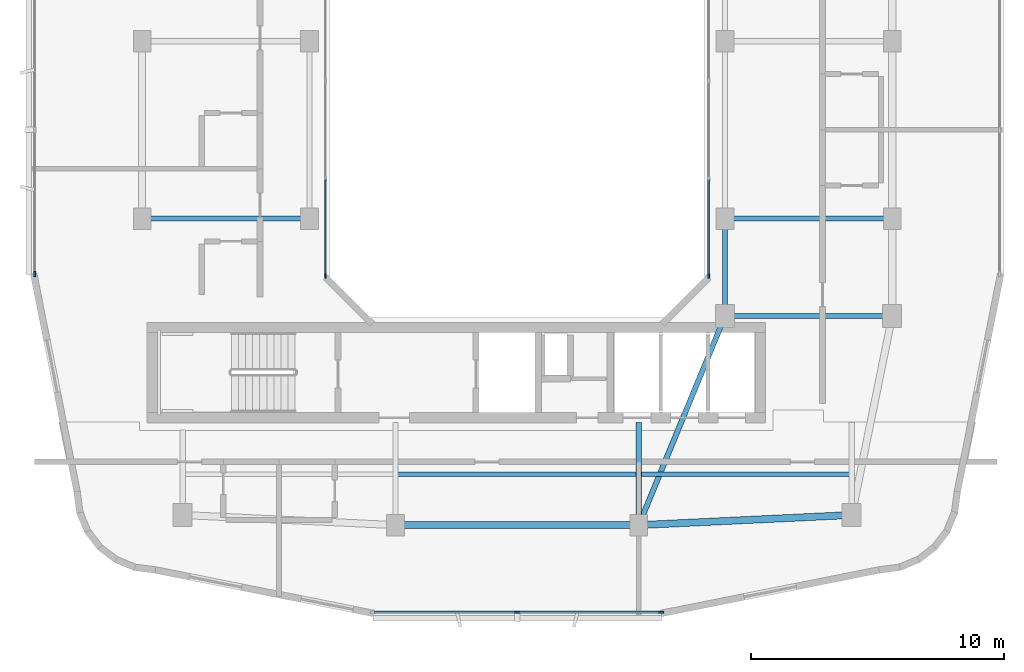
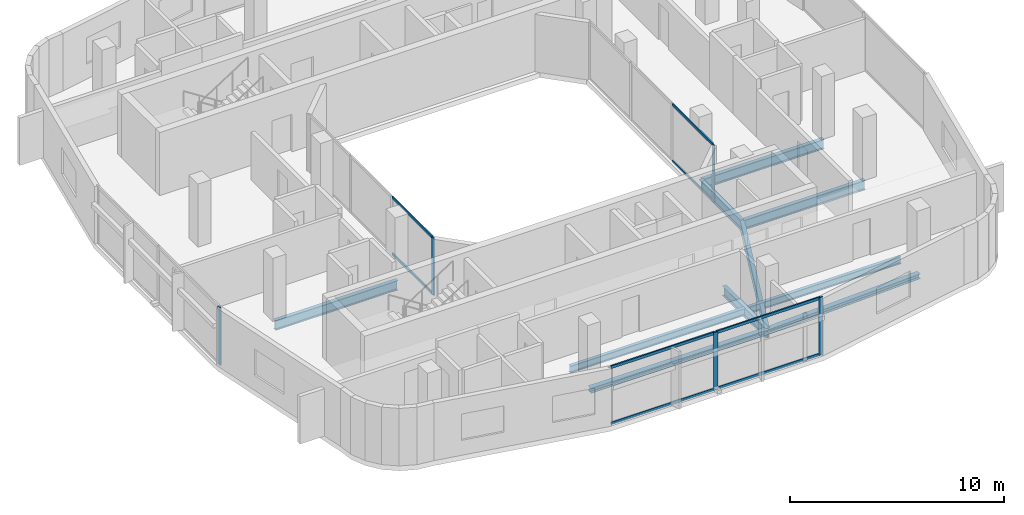
# One storey, part 2 of 13: 13 members, 10 beams, 4 elements without a shape of their own.
"""IFC4 building model written with IfcOpenShell, lengths in metres."""

from ifc_helpers import new_model, si_unit, derived_unit, direction, frame, origin, origin_2d, place, context, subcontext, project, spatial, rectangle, i_section, extrude, material, layer, layer_set, material_profile, profile_set, type_object, element, aggregate, save


model = new_model("IFC4")

# Units and contexts
model_context = context("Model", 3, precision=1e-05, world=origin(), true_north=direction((0.0, 1.0)))
body_context = subcontext(model_context, "Body", "Model", "MODEL_VIEW")
ifc_project = project(units=[si_unit("LENGTHUNIT", "METRE"), si_unit("AREAUNIT", "SQUARE_METRE"), si_unit("VOLUMEUNIT", "CUBIC_METRE"), si_unit("PLANEANGLEUNIT", "RADIAN"), si_unit("MASSUNIT", "GRAM", prefix="KILO"), derived_unit("THERMALTRANSMITTANCEUNIT", [(si_unit("POWERUNIT", "WATT"), 1), (si_unit("LENGTHUNIT", "METRE"), -2), (si_unit("THERMODYNAMICTEMPERATUREUNIT", "KELVIN"), -1)])], contexts=[model_context])

# Site, building, storey
site_placement = place(None, origin())
site = spatial("IfcSite", under=ifc_project, at=site_placement, CompositionType="ELEMENT")
building_placement = place(site_placement, origin())
building = spatial("IfcBuilding", under=site, at=building_placement, Name="Kivonza Crest Hotel", CompositionType="ELEMENT")
storey_placement = place(building_placement, frame((0.0, 0.0, 235.10009765625)))
storey = spatial("IfcBuildingStorey", under=building, at=storey_placement, Name="L64", CompositionType="ELEMENT", Elevation=235.10009765625)

# Beams
ifc_material_1 = material(Name="Steel S355", Category="steel")
ifc_material_profile_1 = material_profile(ifc_material_1, i_section(OverallWidth=0.280029296875, OverallDepth=0.280029296875, WebThickness=0.010498046875, FlangeThickness=0.01806640625, FilletRadius=0.02392578125, at=origin_2d()), Name="HEB 280")
ifc_profile_set_1 = profile_set([ifc_material_profile_1], Name="Steel S355")
beam_type_1 = type_object("IfcBeamType", Name="BM-HEB280", PredefinedType="SPANDREL", material=ifc_profile_set_1)
beam_1_placement = place(storey_placement, frame((16.199951171875, 9.39990234375, -0.420166015625), z_axis=(1.0, 0.0, 0.0), x_axis=(0.0, 1.0, 0.0)))
element("IfcBeam", 1, at=beam_1_placement, inside=storey, type_object=beam_type_1, Name="Tower T1 L64 perimeter spandrel S1-S2", PredefinedType="SPANDREL", context=body_context, shape_type="SweptSolid", body=[
    extrude(i_section(OverallWidth=0.280029296875, OverallDepth=0.280029296875, WebThickness=0.010498046875, FlangeThickness=0.01806640625, FilletRadius=0.02392578125, at=origin_2d()), origin(), (0.0, 0.0, 1.0), 9.60009765625),
])
beam_2_placement = place(storey_placement, frame((25.800048828125, 9.39990234375, -0.420166015625), z_axis=(0.998867283688, 0.047583080799, 0.0), x_axis=(-0.047583080799, 0.998867283688, 0.0)))
element("IfcBeam", 2, at=beam_2_placement, inside=storey, type_object=beam_type_1, Name="Tower T1 L64 perimeter spandrel S2-SE", PredefinedType="SPANDREL", context=body_context, shape_type="SweptSolid", body=[
    extrude(i_section(OverallWidth=0.280029296875, OverallDepth=0.280029296875, WebThickness=0.010498046875, FlangeThickness=0.01806640625, FilletRadius=0.02392578125, at=origin_2d()), origin(), (0.0, 0.0, 1.0), 8.409423828125),
])
ifc_material_profile_2 = material_profile(ifc_material_1, i_section(OverallWidth=0.179931640625, OverallDepth=0.39990234375, WebThickness=0.008544921875, FlangeThickness=0.013427734375, FilletRadius=0.02099609375, at=origin_2d()), Name="IPE 400")
ifc_profile_set_2 = profile_set([ifc_material_profile_2], Name="Steel S355")
beam_type_2 = type_object("IfcBeamType", Name="BM-IPE400", PredefinedType="JOIST", material=ifc_profile_set_2)
beam_3_placement = place(storey_placement, frame((16.280029296875, 11.39990234375, -0.47998046875), z_axis=(1.0, 0.0, 0.0), x_axis=(0.0, 1.0, 0.0)))
element("IfcBeam", 3, at=beam_3_placement, inside=storey, type_object=beam_type_2, Name="Tower T1 L64 South-Mid floor joist", PredefinedType="JOIST", context=body_context, shape_type="SweptSolid", body=[
    extrude(i_section(OverallWidth=0.179931640625, OverallDepth=0.39990234375, WebThickness=0.008544921875, FlangeThickness=0.013427734375, FilletRadius=0.02099609375, at=origin_2d()), origin(), (0.0, 0.0, 1.0), 9.43994140625),
])
beam_4_placement = place(storey_placement, frame((25.8798828125, 11.39990234375, -0.47998046875), z_axis=(1.0, 0.0, 0.0), x_axis=(0.0, 1.0, 0.0)))
element("IfcBeam", 4, at=beam_4_placement, inside=storey, type_object=beam_type_2, Name="Tower T1 L64 South-East floor joist", PredefinedType="JOIST", context=body_context, shape_type="SweptSolid", body=[
    extrude(i_section(OverallWidth=0.179931640625, OverallDepth=0.39990234375, WebThickness=0.008544921875, FlangeThickness=0.013427734375, FilletRadius=0.02099609375, at=origin_2d()), origin(), (0.0, 0.0, 1.0), 8.240234375),
])
ifc_material_profile_3 = material_profile(ifc_material_1, i_section(OverallWidth=0.2099609375, OverallDepth=0.550048828125, WebThickness=0.010986328125, FlangeThickness=0.01708984375, FilletRadius=0.02392578125, at=origin_2d()), Name="IPE 550")
ifc_profile_set_3 = profile_set([ifc_material_profile_3], Name="Steel S355")
beam_type_3 = type_object("IfcBeamType", Name="BM-IPE550", PredefinedType="BEAM", material=ifc_profile_set_3)
beam_5_placement = place(storey_placement, frame((6.199951171875, 21.5, -0.55517578125), z_axis=(1.0, 0.0, 0.0), x_axis=(0.0, 1.0, 0.0)))
element("IfcBeam", 5, at=beam_5_placement, inside=storey, type_object=beam_type_3, Name="Tower T1 L64 primary girder W1-WL1", PredefinedType="BEAM", context=body_context, shape_type="SweptSolid", body=[
    extrude(i_section(OverallWidth=0.2099609375, OverallDepth=0.550048828125, WebThickness=0.010986328125, FlangeThickness=0.01708984375, FilletRadius=0.02392578125, at=origin_2d()), origin(), (0.0, 0.0, 1.0), 6.60009765625),
])
beam_6_placement = place(storey_placement, frame((25.800048828125, 9.39990234375, -0.55517578125), z_axis=(0.381022260404, 0.924565864109, 0.0), x_axis=(-0.924565864109, 0.381022260404, 0.0)))
element("IfcBeam", 6, at=beam_6_placement, inside=storey, type_object=beam_type_3, Name="Tower T1 L64 primary girder S1-TSE", PredefinedType="BEAM", context=body_context, shape_type="SweptSolid", body=[
    extrude(i_section(OverallWidth=0.2099609375, OverallDepth=0.550048828125, WebThickness=0.010986328125, FlangeThickness=0.01708984375, FilletRadius=0.02392578125, at=origin_2d()), origin(), (0.0, 0.0, 1.0), 8.923095703125),
])
beam_7_placement = place(storey_placement, frame((29.199951171875, 17.64990234375, -0.55517578125), z_axis=(1.0, 0.0, 0.0), x_axis=(0.0, 1.0, 0.0)))
element("IfcBeam", 7, at=beam_7_placement, inside=storey, type_object=beam_type_3, Name="Tower T1 L64 primary girder TSE-PSE", PredefinedType="BEAM", context=body_context, shape_type="SweptSolid", body=[
    extrude(i_section(OverallWidth=0.2099609375, OverallDepth=0.550048828125, WebThickness=0.010986328125, FlangeThickness=0.01708984375, FilletRadius=0.02392578125, at=origin_2d()), origin(), (0.0, 0.0, 1.0), 6.60009765625),
])
beam_8_placement = place(storey_placement, frame((29.199951171875, 17.64990234375, -0.55517578125), z_axis=(0.0, 1.0, 0.0), x_axis=(-1.0, 0.0, 0.0)))
element("IfcBeam", 8, at=beam_8_placement, inside=storey, type_object=beam_type_3, Name="Tower T1 L64 primary girder TSE-WR1", PredefinedType="BEAM", context=body_context, shape_type="SweptSolid", body=[
    extrude(i_section(OverallWidth=0.2099609375, OverallDepth=0.550048828125, WebThickness=0.010986328125, FlangeThickness=0.01708984375, FilletRadius=0.02392578125, at=origin_2d()), origin(), (0.0, 0.0, 1.0), 3.85009765625),
])
beam_9_placement = place(storey_placement, frame((29.199951171875, 21.5, -0.55517578125), z_axis=(1.0, 0.0, 0.0), x_axis=(0.0, 1.0, 0.0)))
element("IfcBeam", 9, at=beam_9_placement, inside=storey, type_object=beam_type_3, Name="Tower T1 L64 primary girder WR1-E1", PredefinedType="BEAM", context=body_context, shape_type="SweptSolid", body=[
    extrude(i_section(OverallWidth=0.2099609375, OverallDepth=0.550048828125, WebThickness=0.010986328125, FlangeThickness=0.01708984375, FilletRadius=0.02392578125, at=origin_2d()), origin(), (0.0, 0.0, 1.0), 6.60009765625),
])
beam_10_placement = place(storey_placement, frame((25.800048828125, 9.39990234375, -0.55517578125), z_axis=(0.0, 1.0, 0.0), x_axis=(-1.0, 0.0, 0.0)))
element("IfcBeam", 10, at=beam_10_placement, inside=storey, type_object=beam_type_3, Name="Tower T1 L64 radial core girder RS2", PredefinedType="BEAM", context=body_context, shape_type="SweptSolid", body=[
    extrude(i_section(OverallWidth=0.2099609375, OverallDepth=0.550048828125, WebThickness=0.010986328125, FlangeThickness=0.01708984375, FilletRadius=0.02392578125, at=origin_2d()), origin(), (0.0, 0.0, 1.0), 4.050048828125),
])

# Curtain wall, member
ifc_material_2 = material(Name="Anodised bronze aluminium and low-E double glazing", Category="aluminium")
ifc_layer_1 = layer(ifc_material_2, 0.159912109375)
ifc_layer_set_1 = layer_set([ifc_layer_1], Name="Anodised bronze aluminium and low-E double glazing")
curtain_wall_type_1 = type_object("IfcCurtainWallType", Name="CW-SYS-5", PredefinedType="NOTDEFINED", material=ifc_layer_set_1)
curtain_wall_1_placement = place(storey_placement, origin())
curtain_wall_1 = element("IfcCurtainWall", 11, at=curtain_wall_1_placement, inside=storey, type_object=curtain_wall_type_1, Name="L64 unitised curtain wall CW-WELL-T1-L64-3", PredefinedType="NOTDEFINED")
ifc_material_3 = material(Name="Anodised bronze aluminium", Category="aluminium")
ifc_material_profile_4 = material_profile(ifc_material_3, rectangle(XDim=0.06494140625, YDim=0.179931640625, at=origin_2d()), Name="CW-M 65x180")
ifc_profile_set_4 = profile_set([ifc_material_profile_4], Name="Anodised bronze aluminium")
member_type_1 = type_object("IfcMemberType", Name="CW-MUL-65x180", PredefinedType="MULLION", material=ifc_profile_set_4)
member_1_placement = place(storey_placement, frame((28.56005859375, 19.232421875, 0.0), z_axis=(0.0, 0.0, 1.0), x_axis=(-1.0, 0.0, 0.0)))
member_1 = element("IfcMember", 12, at=member_1_placement, type_object=member_type_1, Name="CW-5 mullion 1", PredefinedType="MULLION", context=body_context, shape_type="SweptSolid", body=[
    extrude(rectangle(XDim=0.06494140625, YDim=0.179931640625, at=origin_2d()), origin(), (0.0, 0.0, 1.0), 3.27978515625),
])

curtain_wall_2_placement = place(storey_placement, origin())
curtain_wall_2 = element("IfcCurtainWall", 13, at=curtain_wall_2_placement, inside=storey, type_object=curtain_wall_type_1, Name="L64 unitised curtain wall CW-WELL-T1-L64-7", PredefinedType="NOTDEFINED")
member_2_placement = place(storey_placement, frame((13.43994140625, 19.232421875, 0.0), z_axis=(0.0, 0.0, 1.0), x_axis=(1.0, 0.0, 0.0)))
member_2 = element("IfcMember", 14, at=member_2_placement, type_object=member_type_1, Name="CW-5 mullion 4", PredefinedType="MULLION", context=body_context, shape_type="SweptSolid", body=[
    extrude(rectangle(XDim=0.06494140625, YDim=0.179931640625, at=origin_2d()), origin(), (0.0, 0.0, 1.0), 3.27978515625),
])

# Curtain wall, members
ifc_layer_2 = layer(ifc_material_2, 0.179931640625)
ifc_layer_set_2 = layer_set([ifc_layer_2], Name="Anodised bronze aluminium and low-E double glazing")
curtain_wall_type_2 = type_object("IfcCurtainWallType", Name="CW-SYS-3", PredefinedType="NOTDEFINED", material=ifc_layer_set_2)
curtain_wall_3_placement = place(storey_placement, origin())
curtain_wall_3 = element("IfcCurtainWall", 15, at=curtain_wall_3_placement, inside=storey, type_object=curtain_wall_type_2, Name="L64 unitised curtain wall CW-T1-L64-08", PredefinedType="NOTDEFINED")
ifc_material_profile_5 = material_profile(ifc_material_3, rectangle(XDim=0.074951171875, YDim=0.219970703125, at=origin_2d()), Name="CW-M 75x220")
ifc_profile_set_5 = profile_set([ifc_material_profile_5], Name="Anodised bronze aluminium")
member_type_2 = type_object("IfcMemberType", Name="CW-MUL-75x220", PredefinedType="MULLION", material=ifc_profile_set_5)
member_3_placement = place(storey_placement, frame((21.0, 5.9599609375, 0.0), z_axis=(0.0, 0.0, 1.0), x_axis=(0.0, 1.0, 0.0)))
member_3 = element("IfcMember", 16, at=member_3_placement, type_object=member_type_2, Name="CW-3 mullion 2", PredefinedType="MULLION", context=body_context, shape_type="SweptSolid", body=[
    extrude(rectangle(XDim=0.074951171875, YDim=0.219970703125, at=origin_2d()), origin(), (0.0, 0.0, 1.0), 3.27978515625),
])
member_4_placement = place(storey_placement, frame((26.6826171875, 5.9599609375, 0.0), z_axis=(0.0, 0.0, 1.0), x_axis=(0.0, 1.0, 0.0)))
member_4 = element("IfcMember", 17, at=member_4_placement, type_object=member_type_2, Name="CW-3 mullion 3", PredefinedType="MULLION", context=body_context, shape_type="SweptSolid", body=[
    extrude(rectangle(XDim=0.074951171875, YDim=0.219970703125, at=origin_2d()), origin(), (0.0, 0.0, 1.0), 3.27978515625),
])

# Curtain wall, member
curtain_wall_4_placement = place(storey_placement, origin())
curtain_wall_4 = element("IfcCurtainWall", 18, at=curtain_wall_4_placement, inside=storey, type_object=curtain_wall_type_2, Name="L64 unitised curtain wall CW-T1-L64-35", PredefinedType="NOTDEFINED")
member_5_placement = place(storey_placement, frame((1.9599609375, 19.3173828125, 0.0), z_axis=(0.0, 0.0, 1.0), x_axis=(1.0, 0.0, 0.0)))
member_5 = element("IfcMember", 19, at=member_5_placement, type_object=member_type_2, Name="CW-3 mullion 3", PredefinedType="MULLION", context=body_context, shape_type="SweptSolid", body=[
    extrude(rectangle(XDim=0.074951171875, YDim=0.219970703125, at=origin_2d()), origin(), (0.0, 0.0, 1.0), 3.27978515625),
])
aggregate(curtain_wall_4, [member_5])

# Member
ifc_material_profile_6 = material_profile(ifc_material_3, rectangle(XDim=0.06494140625, YDim=0.139892578125, at=origin_2d()), Name="CW-T 65x140")
ifc_profile_set_6 = profile_set([ifc_material_profile_6], Name="Anodised bronze aluminium")
member_type_3 = type_object("IfcMemberType", Name="CW-TRN-65x140", PredefinedType="USERDEFINED", material=ifc_profile_set_6)
member_6_placement = place(storey_placement, frame((28.56005859375, 19.264892578125, 0.032470703125), z_axis=(0.0, 1.0, 0.0), x_axis=(-1.0, 0.0, 0.0)))
member_6 = element("IfcMember", 20, at=member_6_placement, type_object=member_type_3, Name="CW-5 transom 1.1", ObjectType="TRANSOM", PredefinedType="USERDEFINED", context=body_context, shape_type="SweptSolid", body=[
    extrude(rectangle(XDim=0.06494140625, YDim=0.139892578125, at=origin_2d()), origin(), (0.0, 0.0, 1.0), 3.769287109375),
])

member_7_placement = place(storey_placement, frame((28.56005859375, 19.264892578125, 3.247314453125), z_axis=(0.0, 1.0, 0.0), x_axis=(-1.0, 0.0, 0.0)))
member_7 = element("IfcMember", 21, at=member_7_placement, type_object=member_type_3, Name="CW-5 transom 1.2", ObjectType="TRANSOM", PredefinedType="USERDEFINED", context=body_context, shape_type="SweptSolid", body=[
    extrude(rectangle(XDim=0.06494140625, YDim=0.139892578125, at=origin_2d()), origin(), (0.0, 0.0, 1.0), 3.769287109375),
])

aggregate(curtain_wall_1, [member_1, member_6, member_7])

member_8_placement = place(storey_placement, frame((13.43994140625, 23.0341796875, 0.032470703125), z_axis=(0.0, -1.0, 0.0), x_axis=(1.0, 0.0, 0.0)))
member_8 = element("IfcMember", 22, at=member_8_placement, type_object=member_type_3, Name="CW-5 transom 3.1", ObjectType="TRANSOM", PredefinedType="USERDEFINED", context=body_context, shape_type="SweptSolid", body=[
    extrude(rectangle(XDim=0.06494140625, YDim=0.139892578125, at=origin_2d()), origin(), (0.0, 0.0, 1.0), 3.769287109375),
])

member_9_placement = place(storey_placement, frame((13.43994140625, 23.0341796875, 3.247314453125), z_axis=(0.0, -1.0, 0.0), x_axis=(1.0, 0.0, 0.0)))
member_9 = element("IfcMember", 23, at=member_9_placement, type_object=member_type_3, Name="CW-5 transom 3.2", ObjectType="TRANSOM", PredefinedType="USERDEFINED", context=body_context, shape_type="SweptSolid", body=[
    extrude(rectangle(XDim=0.06494140625, YDim=0.139892578125, at=origin_2d()), origin(), (0.0, 0.0, 1.0), 3.769287109375),
])

aggregate(curtain_wall_2, [member_2, member_8, member_9])

ifc_material_profile_7 = material_profile(ifc_material_3, rectangle(XDim=0.074951171875, YDim=0.159912109375, at=origin_2d()), Name="CW-T 75x160")
ifc_profile_set_7 = profile_set([ifc_material_profile_7], Name="Anodised bronze aluminium")
member_type_4 = type_object("IfcMemberType", Name="CW-TRN-75x160", PredefinedType="USERDEFINED", material=ifc_profile_set_7)
member_10_placement = place(storey_placement, frame((15.35498046875, 5.9599609375, 0.037353515625), z_axis=(1.0, 0.0, 0.0), x_axis=(0.0, 1.0, 0.0)))
member_10 = element("IfcMember", 24, at=member_10_placement, type_object=member_type_4, Name="CW-3 transom 1.1", ObjectType="TRANSOM", PredefinedType="USERDEFINED", context=body_context, shape_type="SweptSolid", body=[
    extrude(rectangle(XDim=0.074951171875, YDim=0.159912109375, at=origin_2d()), origin(), (0.0, 0.0, 1.0), 5.607421875),
])

member_11_placement = place(storey_placement, frame((15.35498046875, 5.9599609375, 3.242431640625), z_axis=(1.0, 0.0, 0.0), x_axis=(0.0, 1.0, 0.0)))
member_11 = element("IfcMember", 25, at=member_11_placement, type_object=member_type_4, Name="CW-3 transom 1.2", ObjectType="TRANSOM", PredefinedType="USERDEFINED", context=body_context, shape_type="SweptSolid", body=[
    extrude(rectangle(XDim=0.074951171875, YDim=0.159912109375, at=origin_2d()), origin(), (0.0, 0.0, 1.0), 5.607421875),
])

member_12_placement = place(storey_placement, frame((21.03759765625, 5.9599609375, 0.037353515625), z_axis=(1.0, 0.0, 0.0), x_axis=(0.0, 1.0, 0.0)))
member_12 = element("IfcMember", 26, at=member_12_placement, type_object=member_type_4, Name="CW-3 transom 2.1", ObjectType="TRANSOM", PredefinedType="USERDEFINED", context=body_context, shape_type="SweptSolid", body=[
    extrude(rectangle(XDim=0.074951171875, YDim=0.159912109375, at=origin_2d()), origin(), (0.0, 0.0, 1.0), 5.607421875),
])

member_13_placement = place(storey_placement, frame((21.03759765625, 5.9599609375, 3.242431640625), z_axis=(1.0, 0.0, 0.0), x_axis=(0.0, 1.0, 0.0)))
member_13 = element("IfcMember", 27, at=member_13_placement, type_object=member_type_4, Name="CW-3 transom 2.2", ObjectType="TRANSOM", PredefinedType="USERDEFINED", context=body_context, shape_type="SweptSolid", body=[
    extrude(rectangle(XDim=0.074951171875, YDim=0.159912109375, at=origin_2d()), origin(), (0.0, 0.0, 1.0), 5.607421875),
])

aggregate(curtain_wall_3, [member_3, member_4, member_10, member_11, member_12, member_13])

save(model, "model.ifc")
